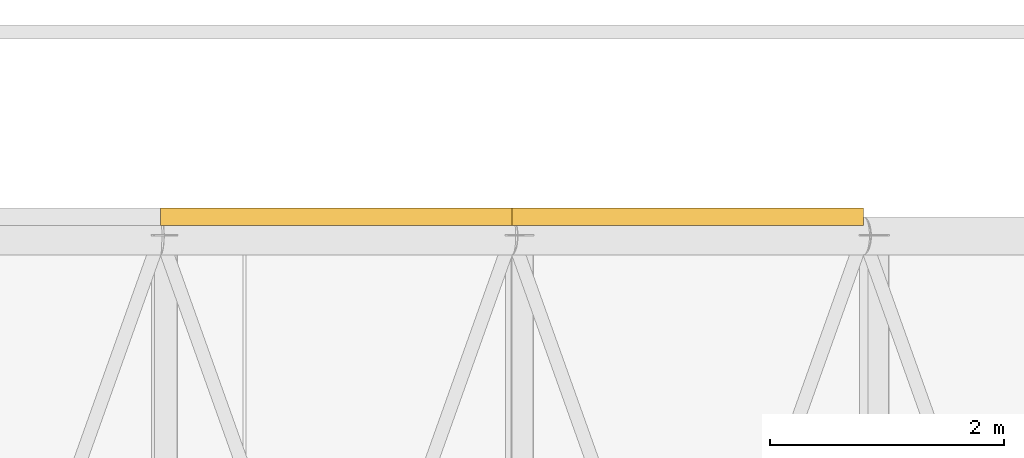
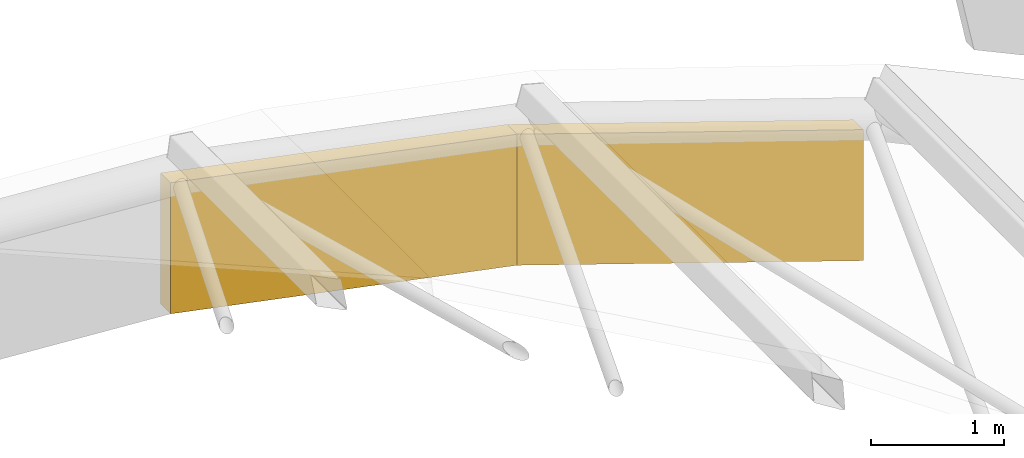
# One storey, part 51 of 54: 2 coverings.
"""IFC4 building model written with IfcOpenShell, lengths in metres."""

from ifc_helpers import new_model, si_unit, direction, frame, origin, place, context, subcontext, project, spatial, polyline, outline, extrude, material, layer, layer_set, type_object, element, save


model = new_model("IFC4")

# Units and contexts
model_context = context("Model", 3, precision=1e-05, world=origin(), true_north=direction((0.0, 1.0)))
body_context = subcontext(model_context, "Body", "Model", "MODEL_VIEW")
ifc_project = project(units=[si_unit("LENGTHUNIT", "METRE"), si_unit("AREAUNIT", "SQUARE_METRE"), si_unit("VOLUMEUNIT", "CUBIC_METRE"), si_unit("PLANEANGLEUNIT", "RADIAN"), si_unit("MASSUNIT", "GRAM", prefix="KILO")], contexts=[model_context])

# Site, building, storey
site_placement = place(None, origin())
site = spatial("IfcSite", under=ifc_project, at=site_placement, CompositionType="ELEMENT")
building_placement = place(site_placement, origin())
building = spatial("IfcBuilding", under=site, at=building_placement, Name="Baradari Gate Terminus", CompositionType="ELEMENT")
storey_placement = place(building_placement, frame((0.0, 0.0, 15.89990234375)))
storey = spatial("IfcBuildingStorey", under=building, at=storey_placement, Name="L03", CompositionType="ELEMENT", Elevation=15.89990234375)

# Coverings
ifc_material = material(Name="Sandstone", Category="masonry")
ifc_layer = layer(ifc_material, 0.14990234375)
ifc_layer_set = layer_set([ifc_layer], Name="Sandstone")
covering_type = type_object("IfcCoveringType", Name="Hall gable arch band", PredefinedType="CLADDING", material=ifc_layer_set)
covering_1_placement = place(storey_placement, frame((156.0, 107.5625, 0.977294921875), z_axis=(0.0, 0.0, 1.0), x_axis=(1.0, 0.0, 0.0)))
element("IfcCovering", 1, at=covering_1_placement, inside=storey, type_object=covering_type, Name="Hall gable arch band N8", PredefinedType="CLADDING", context=body_context, shape_type="SweptSolid", body=[
    extrude(outline(polyline([(0.0, 1.8056640625), (0.0, 0.60546875), (3.0, 0.0), (3.0, 1.199951171875), (0.0, 1.8056640625)])), frame((0.0, 0.074951171875, 0.0), z_axis=(0.0, -1.0, 0.0), x_axis=(1.0, 0.0, 0.0)), (0.0, 0.0, 1.0), 0.14990234375),
])
covering_2_placement = place(storey_placement, frame((159.0, 107.5625, -0.03076171875), z_axis=(0.0, 0.0, 1.0), x_axis=(1.0, 0.0, 0.0)))
element("IfcCovering", 2, at=covering_2_placement, inside=storey, type_object=covering_type, Name="Hall gable arch band N9", PredefinedType="CLADDING", context=body_context, shape_type="SweptSolid", body=[
    extrude(outline(polyline([(0.0, 2.2080078125), (0.0, 1.008056640625), (3.0, 0.0), (3.0, 1.199951171875), (0.0, 2.2080078125)])), frame((0.0, 0.074951171875, 0.0), z_axis=(0.0, -1.0, 0.0), x_axis=(1.0, 0.0, 0.0)), (0.0, 0.0, 1.0), 0.14990234375),
])

save(model, "model.ifc")
